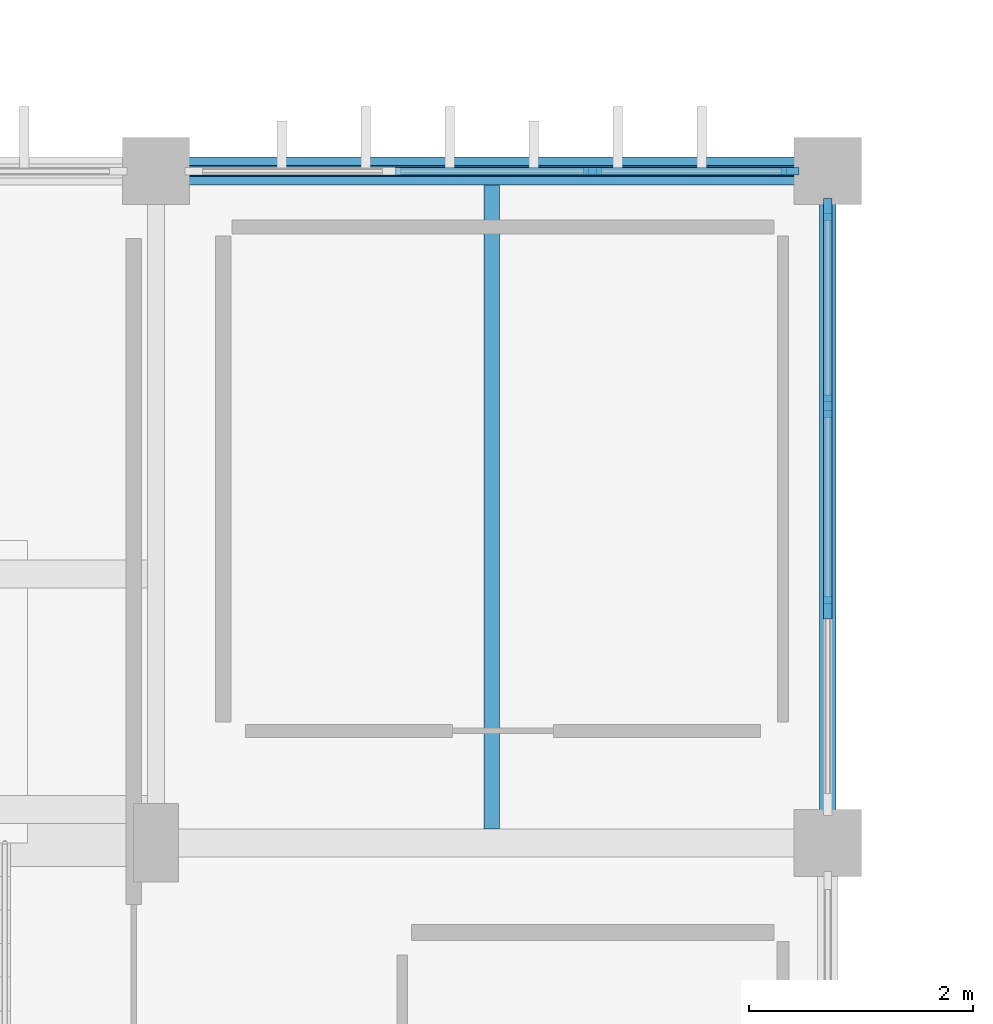
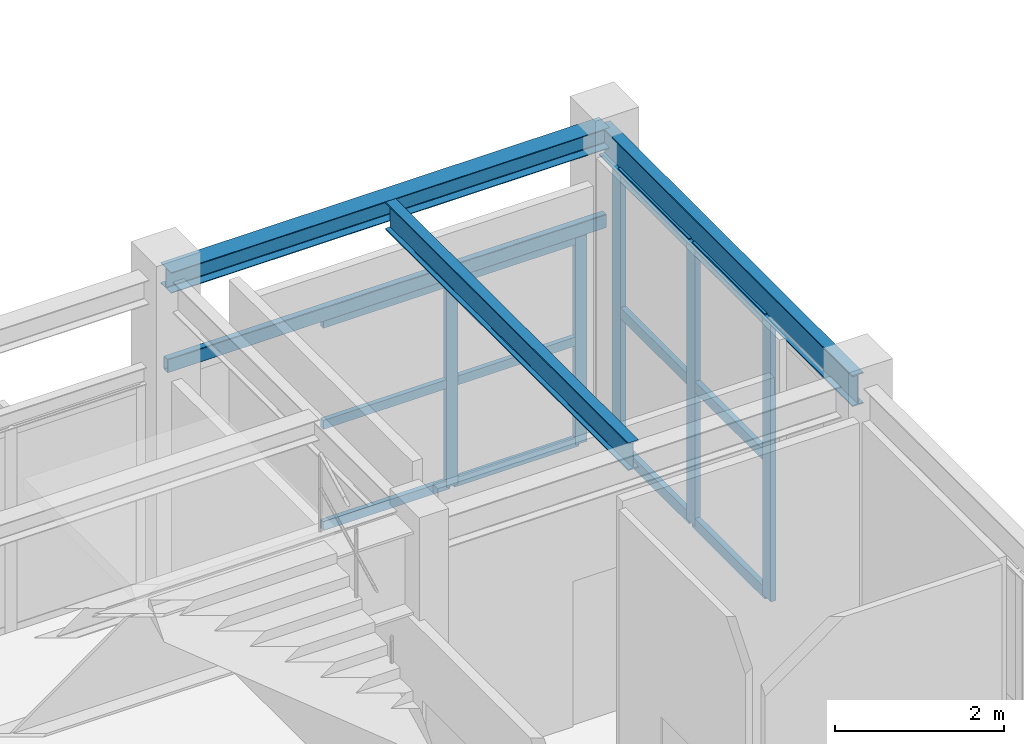
# One storey, part 20 of 76: 17 members, 4 beams, 2 elements without a shape of their own.
"""IFC4 building model written with IfcOpenShell, lengths in metres."""

from ifc_helpers import new_model, si_unit, direction, frame, origin, origin_2d, place, context, subcontext, project, spatial, rectangle, hollow_rectangle, i_section, extrude, material, material_profile, profile_set, type_object, element, aggregate, save


model = new_model("IFC4")

# Units and contexts
model_context = context("Model", 3, precision=1e-05, world=origin(), true_north=direction((0.0, 1.0)))
body_context = subcontext(model_context, "Body", "Model", "MODEL_VIEW")
ifc_project = project(units=[si_unit("LENGTHUNIT", "METRE"), si_unit("AREAUNIT", "SQUARE_METRE"), si_unit("VOLUMEUNIT", "CUBIC_METRE"), si_unit("PLANEANGLEUNIT", "RADIAN"), si_unit("MASSUNIT", "GRAM", prefix="KILO")], contexts=[model_context])

# Site, building, storey
site_placement = place(None, origin())
site = spatial("IfcSite", under=ifc_project, at=site_placement, CompositionType="ELEMENT")
building_placement = place(site_placement, origin())
building = spatial("IfcBuilding", under=site, at=building_placement, Name="Varnakota Square Police Headquarters", CompositionType="ELEMENT")
storey_placement = place(building_placement, origin())
storey = spatial("IfcBuildingStorey", under=building, at=storey_placement, Name="L00", CompositionType="ELEMENT", Elevation=0.0)

# Beams
ifc_material_1 = material(Name="Steel IS 2062 Grade 350", Category="steel")
ifc_material_profile_1 = material_profile(ifc_material_1, i_section(OverallWidth=0.25, OverallDepth=0.300048828125, WebThickness=0.009521484375, FlangeThickness=0.010498046875, FilletRadius=0.011962890625, at=origin_2d()), Name="ISHB 300")
ifc_profile_set_1 = profile_set([ifc_material_profile_1], Name="Steel IS 2062 Grade 350")
beam_type_1 = type_object("IfcBeamType", Name="BM-ISHB300", PredefinedType="BEAM", material=ifc_profile_set_1)
beam_1_placement = place(storey_placement, frame((90.0, 39.0, 4.35009765625), z_axis=(1.0, 0.0, 0.0), x_axis=(0.0, 1.0, 0.0)))
element("IfcBeam", 1, at=beam_1_placement, inside=storey, type_object=beam_type_1, Name="BMG-L00-0785", PredefinedType="BEAM", context=body_context, shape_type="SweptSolid", body=[
    extrude(i_section(OverallWidth=0.25, OverallDepth=0.300048828125, WebThickness=0.009521484375, FlangeThickness=0.010498046875, FilletRadius=0.011962890625, at=origin_2d()), origin(), (0.0, 0.0, 1.0), 6.0),
])
ifc_material_profile_2 = material_profile(ifc_material_1, i_section(OverallWidth=0.139892578125, OverallDepth=0.39990234375, WebThickness=0.0087890625, FlangeThickness=0.01611328125, FilletRadius=0.013916015625, at=origin_2d()), Name="ISMB 400")
ifc_profile_set_2 = profile_set([ifc_material_profile_2], Name="Steel IS 2062 Grade 350")
beam_type_2 = type_object("IfcBeamType", Name="BM-ISMB400", PredefinedType="JOIST", material=ifc_profile_set_2)
beam_2_placement = place(storey_placement, frame((93.0, 33.123046875, 4.300048828125), z_axis=(0.0, 1.0, 0.0), x_axis=(-1.0, 0.0, 0.0)))
element("IfcBeam", 2, at=beam_2_placement, inside=storey, type_object=beam_type_2, Name="BMG-L00-1254", PredefinedType="JOIST", context=body_context, shape_type="SweptSolid", body=[
    extrude(i_section(OverallWidth=0.139892578125, OverallDepth=0.39990234375, WebThickness=0.0087890625, FlangeThickness=0.01611328125, FilletRadius=0.013916015625, at=origin_2d()), origin(), (0.0, 0.0, 1.0), 5.75390625),
])
ifc_material_profile_3 = material_profile(ifc_material_1, i_section(OverallWidth=0.14990234375, OverallDepth=0.449951171875, WebThickness=0.009521484375, FlangeThickness=0.017333984375, FilletRadius=0.014892578125, at=origin_2d()), Name="ISMB 450")
ifc_profile_set_3 = profile_set([ifc_material_profile_3], Name="Steel IS 2062 Grade 350")
beam_type_3 = type_object("IfcBeamType", Name="BM-ISMB450", PredefinedType="BEAM", material=ifc_profile_set_3)
beam_3_placement = place(storey_placement, frame((96.0, 33.0, 4.27490234375), z_axis=(0.0, 1.0, 0.0), x_axis=(-1.0, 0.0, 0.0)))
element("IfcBeam", 3, at=beam_3_placement, inside=storey, type_object=beam_type_3, Name="BMG-L00-1074", PredefinedType="BEAM", context=body_context, shape_type="SweptSolid", body=[
    extrude(i_section(OverallWidth=0.14990234375, OverallDepth=0.449951171875, WebThickness=0.009521484375, FlangeThickness=0.017333984375, FilletRadius=0.014892578125, at=origin_2d()), origin(), (0.0, 0.0, 1.0), 6.0),
])
ifc_material_profile_4 = material_profile(ifc_material_1, hollow_rectangle(XDim=0.10009765625, YDim=0.199951171875, WallThickness=0.008056640625, InnerFilletRadius=0.008056640625, OuterFilletRadius=0.01611328125, at=origin_2d()), Name="RHS 200x100x8")
ifc_profile_set_4 = profile_set([ifc_material_profile_4], Name="Steel IS 2062 Grade 350")
beam_type_4 = type_object("IfcBeamType", Name="BM-LNT-RHS200", PredefinedType="LINTEL", material=ifc_profile_set_4)
beam_4_placement = place(storey_placement, frame((90.0, 39.0, 3.10009765625), z_axis=(1.0, 0.0, 0.0), x_axis=(0.0, 1.0, 0.0)))
element("IfcBeam", 4, at=beam_4_placement, inside=storey, type_object=beam_type_4, Name="Court lintel LNT-N07", PredefinedType="LINTEL", context=body_context, shape_type="SweptSolid", body=[
    extrude(hollow_rectangle(XDim=0.10009765625, YDim=0.199951171875, WallThickness=0.008056640625, InnerFilletRadius=0.008056640625, OuterFilletRadius=0.01611328125, at=origin_2d()), origin(), (0.0, 0.0, 1.0), 6.0),
])

# Curtain wall, members
ifc_material_2 = material(Name="Anodised Aluminium Framing", Category="aluminium")
curtain_wall_type = type_object("IfcCurtainWallType", Name="CW-SYS-A", PredefinedType="NOTDEFINED", material=ifc_material_2)
curtain_wall_1_placement = place(storey_placement, origin())
curtain_wall_1 = element("IfcCurtainWall", 5, at=curtain_wall_1_placement, inside=storey, type_object=curtain_wall_type, Name="Unitised curtain wall CWG-L00-007", PredefinedType="NOTDEFINED")
ifc_material_3 = material(Name="Anodised Aluminium 6063-T6", Category="aluminium")
ifc_material_profile_5 = material_profile(ifc_material_3, rectangle(XDim=0.06494140625, YDim=0.159912109375, at=origin_2d()), Name="ALU MULLION 65x160")
ifc_profile_set_5 = profile_set([ifc_material_profile_5], Name="Anodised Aluminium 6063-T6")
member_type_1 = type_object("IfcMemberType", Name="CWM-150", PredefinedType="MULLION", material=ifc_profile_set_5)
member_1_placement = place(storey_placement, frame((93.8984375, 39.0, 0.0), z_axis=(0.0, 0.0, 1.0), x_axis=(0.0, 1.0, 0.0)))
member_1 = element("IfcMember", 6, at=member_1_placement, type_object=member_type_1, Name="CWG-L00-007 mullion 3", PredefinedType="MULLION", context=body_context, shape_type="SweptSolid", body=[
    extrude(rectangle(XDim=0.06494140625, YDim=0.159912109375, at=origin_2d()), origin(), (0.0, 0.0, 1.0), 2.989990234375),
])
member_2_placement = place(storey_placement, frame((95.66259765625, 39.0, 0.0), z_axis=(0.0, 0.0, 1.0), x_axis=(0.0, 1.0, 0.0)))
member_2 = element("IfcMember", 7, at=member_2_placement, type_object=member_type_1, Name="CWG-L00-007 mullion 4", PredefinedType="MULLION", context=body_context, shape_type="SweptSolid", body=[
    extrude(rectangle(XDim=0.06494140625, YDim=0.159912109375, at=origin_2d()), origin(), (0.0, 0.0, 1.0), 2.989990234375),
])

curtain_wall_2_placement = place(storey_placement, origin())
curtain_wall_2 = element("IfcCurtainWall", 8, at=curtain_wall_2_placement, inside=storey, type_object=curtain_wall_type, Name="Unitised curtain wall CWG-L00-015", PredefinedType="NOTDEFINED")
ifc_material_profile_6 = material_profile(ifc_material_3, rectangle(XDim=0.074951171875, YDim=0.199951171875, at=origin_2d()), Name="ALU MULLION 75x200")
ifc_profile_set_6 = profile_set([ifc_material_profile_6], Name="Anodised Aluminium 6063-T6")
member_type_2 = type_object("IfcMemberType", Name="CWM-180", PredefinedType="MULLION", material=ifc_profile_set_6)
member_3_placement = place(storey_placement, frame((96.0, 35.1015625, 0.0), z_axis=(0.0, 0.0, 1.0), x_axis=(-1.0, 0.0, 0.0)))
member_3 = element("IfcMember", 9, at=member_3_placement, type_object=member_type_2, Name="CWG-L00-015 mullion 2", PredefinedType="MULLION", context=body_context, shape_type="SweptSolid", body=[
    extrude(rectangle(XDim=0.074951171875, YDim=0.199951171875, at=origin_2d()), origin(), (0.0, 0.0, 1.0), 4.0400390625),
])
member_4_placement = place(storey_placement, frame((96.0, 36.8984375, 0.0), z_axis=(0.0, 0.0, 1.0), x_axis=(-1.0, 0.0, 0.0)))
member_4 = element("IfcMember", 10, at=member_4_placement, type_object=member_type_2, Name="CWG-L00-015 mullion 3", PredefinedType="MULLION", context=body_context, shape_type="SweptSolid", body=[
    extrude(rectangle(XDim=0.074951171875, YDim=0.199951171875, at=origin_2d()), origin(), (0.0, 0.0, 1.0), 4.0400390625),
])
member_5_placement = place(storey_placement, frame((96.0, 38.657470703125, 0.0), z_axis=(0.0, 0.0, 1.0), x_axis=(-1.0, 0.0, 0.0)))
member_5 = element("IfcMember", 11, at=member_5_placement, type_object=member_type_2, Name="CWG-L00-015 mullion 4", PredefinedType="MULLION", context=body_context, shape_type="SweptSolid", body=[
    extrude(rectangle(XDim=0.074951171875, YDim=0.199951171875, at=origin_2d()), origin(), (0.0, 0.0, 1.0), 4.0400390625),
])

# Member
ifc_material_profile_7 = material_profile(ifc_material_3, rectangle(XDim=0.06494140625, YDim=0.1298828125, at=origin_2d()), Name="ALU TRANSOM 65x130")
ifc_profile_set_7 = profile_set([ifc_material_profile_7], Name="Anodised Aluminium 6063-T6")
member_type_3 = type_object("IfcMemberType", Name="CWT-120", PredefinedType="USERDEFINED", material=ifc_profile_set_7)
member_6_placement = place(storey_placement, frame((92.13427734375, 39.0, 0.032470703125), z_axis=(1.0, 0.0, 0.0), x_axis=(0.0, 1.0, 0.0)))
member_6 = element("IfcMember", 12, at=member_6_placement, type_object=member_type_3, Name="CWG-L00-007 transom 2.1", ObjectType="TRANSOM", PredefinedType="USERDEFINED", context=body_context, shape_type="SweptSolid", body=[
    extrude(rectangle(XDim=0.06494140625, YDim=0.1298828125, at=origin_2d()), origin(), (0.0, 0.0, 1.0), 1.7314453125),
])

member_7_placement = place(storey_placement, frame((92.13427734375, 39.0, 1.4951171875), z_axis=(1.0, 0.0, 0.0), x_axis=(0.0, 1.0, 0.0)))
member_7 = element("IfcMember", 13, at=member_7_placement, type_object=member_type_3, Name="CWG-L00-007 transom 2.2", ObjectType="TRANSOM", PredefinedType="USERDEFINED", context=body_context, shape_type="SweptSolid", body=[
    extrude(rectangle(XDim=0.06494140625, YDim=0.1298828125, at=origin_2d()), origin(), (0.0, 0.0, 1.0), 1.7314453125),
])

member_8_placement = place(storey_placement, frame((92.13427734375, 39.0, 2.95751953125), z_axis=(1.0, 0.0, 0.0), x_axis=(0.0, 1.0, 0.0)))
member_8 = element("IfcMember", 14, at=member_8_placement, type_object=member_type_3, Name="CWG-L00-007 transom 2.3", ObjectType="TRANSOM", PredefinedType="USERDEFINED", context=body_context, shape_type="SweptSolid", body=[
    extrude(rectangle(XDim=0.06494140625, YDim=0.1298828125, at=origin_2d()), origin(), (0.0, 0.0, 1.0), 1.7314453125),
])

member_9_placement = place(storey_placement, frame((93.930908203125, 39.0, 0.032470703125), z_axis=(1.0, 0.0, 0.0), x_axis=(0.0, 1.0, 0.0)))
member_9 = element("IfcMember", 15, at=member_9_placement, type_object=member_type_3, Name="CWG-L00-007 transom 3.1", ObjectType="TRANSOM", PredefinedType="USERDEFINED", context=body_context, shape_type="SweptSolid", body=[
    extrude(rectangle(XDim=0.06494140625, YDim=0.1298828125, at=origin_2d()), origin(), (0.0, 0.0, 1.0), 1.698974609375),
])

member_10_placement = place(storey_placement, frame((93.930908203125, 39.0, 1.4951171875), z_axis=(1.0, 0.0, 0.0), x_axis=(0.0, 1.0, 0.0)))
member_10 = element("IfcMember", 16, at=member_10_placement, type_object=member_type_3, Name="CWG-L00-007 transom 3.2", ObjectType="TRANSOM", PredefinedType="USERDEFINED", context=body_context, shape_type="SweptSolid", body=[
    extrude(rectangle(XDim=0.06494140625, YDim=0.1298828125, at=origin_2d()), origin(), (0.0, 0.0, 1.0), 1.698974609375),
])

member_11_placement = place(storey_placement, frame((93.930908203125, 39.0, 2.95751953125), z_axis=(1.0, 0.0, 0.0), x_axis=(0.0, 1.0, 0.0)))
member_11 = element("IfcMember", 17, at=member_11_placement, type_object=member_type_3, Name="CWG-L00-007 transom 3.3", ObjectType="TRANSOM", PredefinedType="USERDEFINED", context=body_context, shape_type="SweptSolid", body=[
    extrude(rectangle(XDim=0.06494140625, YDim=0.1298828125, at=origin_2d()), origin(), (0.0, 0.0, 1.0), 1.698974609375),
])

aggregate(curtain_wall_1, [member_1, member_2, member_6, member_7, member_8, member_9, member_10, member_11])

ifc_material_profile_8 = material_profile(ifc_material_3, rectangle(XDim=0.074951171875, YDim=0.159912109375, at=origin_2d()), Name="ALU TRANSOM 75x160")
ifc_profile_set_8 = profile_set([ifc_material_profile_8], Name="Anodised Aluminium 6063-T6")
member_type_4 = type_object("IfcMemberType", Name="CWT-150", PredefinedType="USERDEFINED", material=ifc_profile_set_8)
member_12_placement = place(storey_placement, frame((96.0, 35.13916015625, 0.03759765625), z_axis=(0.0, 1.0, 0.0), x_axis=(-1.0, 0.0, 0.0)))
member_12 = element("IfcMember", 18, at=member_12_placement, type_object=member_type_4, Name="CWG-L00-015 transom 2.1", ObjectType="TRANSOM", PredefinedType="USERDEFINED", context=body_context, shape_type="SweptSolid", body=[
    extrude(rectangle(XDim=0.074951171875, YDim=0.159912109375, at=origin_2d()), origin(), (0.0, 0.0, 1.0), 1.7216796875),
])

member_13_placement = place(storey_placement, frame((96.0, 35.13916015625, 2.02001953125), z_axis=(0.0, 1.0, 0.0), x_axis=(-1.0, 0.0, 0.0)))
member_13 = element("IfcMember", 19, at=member_13_placement, type_object=member_type_4, Name="CWG-L00-015 transom 2.2", ObjectType="TRANSOM", PredefinedType="USERDEFINED", context=body_context, shape_type="SweptSolid", body=[
    extrude(rectangle(XDim=0.074951171875, YDim=0.159912109375, at=origin_2d()), origin(), (0.0, 0.0, 1.0), 1.7216796875),
])

member_14_placement = place(storey_placement, frame((96.0, 35.13916015625, 4.00244140625), z_axis=(0.0, 1.0, 0.0), x_axis=(-1.0, 0.0, 0.0)))
member_14 = element("IfcMember", 20, at=member_14_placement, type_object=member_type_4, Name="CWG-L00-015 transom 2.3", ObjectType="TRANSOM", PredefinedType="USERDEFINED", context=body_context, shape_type="SweptSolid", body=[
    extrude(rectangle(XDim=0.074951171875, YDim=0.159912109375, at=origin_2d()), origin(), (0.0, 0.0, 1.0), 1.7216796875),
])

member_15_placement = place(storey_placement, frame((96.0, 36.935791015625, 0.03759765625), z_axis=(0.0, 1.0, 0.0), x_axis=(-1.0, 0.0, 0.0)))
member_15 = element("IfcMember", 21, at=member_15_placement, type_object=member_type_4, Name="CWG-L00-015 transom 3.1", ObjectType="TRANSOM", PredefinedType="USERDEFINED", context=body_context, shape_type="SweptSolid", body=[
    extrude(rectangle(XDim=0.074951171875, YDim=0.159912109375, at=origin_2d()), origin(), (0.0, 0.0, 1.0), 1.684326171875),
])

member_16_placement = place(storey_placement, frame((96.0, 36.935791015625, 2.02001953125), z_axis=(0.0, 1.0, 0.0), x_axis=(-1.0, 0.0, 0.0)))
member_16 = element("IfcMember", 22, at=member_16_placement, type_object=member_type_4, Name="CWG-L00-015 transom 3.2", ObjectType="TRANSOM", PredefinedType="USERDEFINED", context=body_context, shape_type="SweptSolid", body=[
    extrude(rectangle(XDim=0.074951171875, YDim=0.159912109375, at=origin_2d()), origin(), (0.0, 0.0, 1.0), 1.684326171875),
])

member_17_placement = place(storey_placement, frame((96.0, 36.935791015625, 4.00244140625), z_axis=(0.0, 1.0, 0.0), x_axis=(-1.0, 0.0, 0.0)))
member_17 = element("IfcMember", 23, at=member_17_placement, type_object=member_type_4, Name="CWG-L00-015 transom 3.3", ObjectType="TRANSOM", PredefinedType="USERDEFINED", context=body_context, shape_type="SweptSolid", body=[
    extrude(rectangle(XDim=0.074951171875, YDim=0.159912109375, at=origin_2d()), origin(), (0.0, 0.0, 1.0), 1.684326171875),
])

aggregate(curtain_wall_2, [member_3, member_4, member_5, member_12, member_13, member_14, member_15, member_16, member_17])

save(model, "model.ifc")
